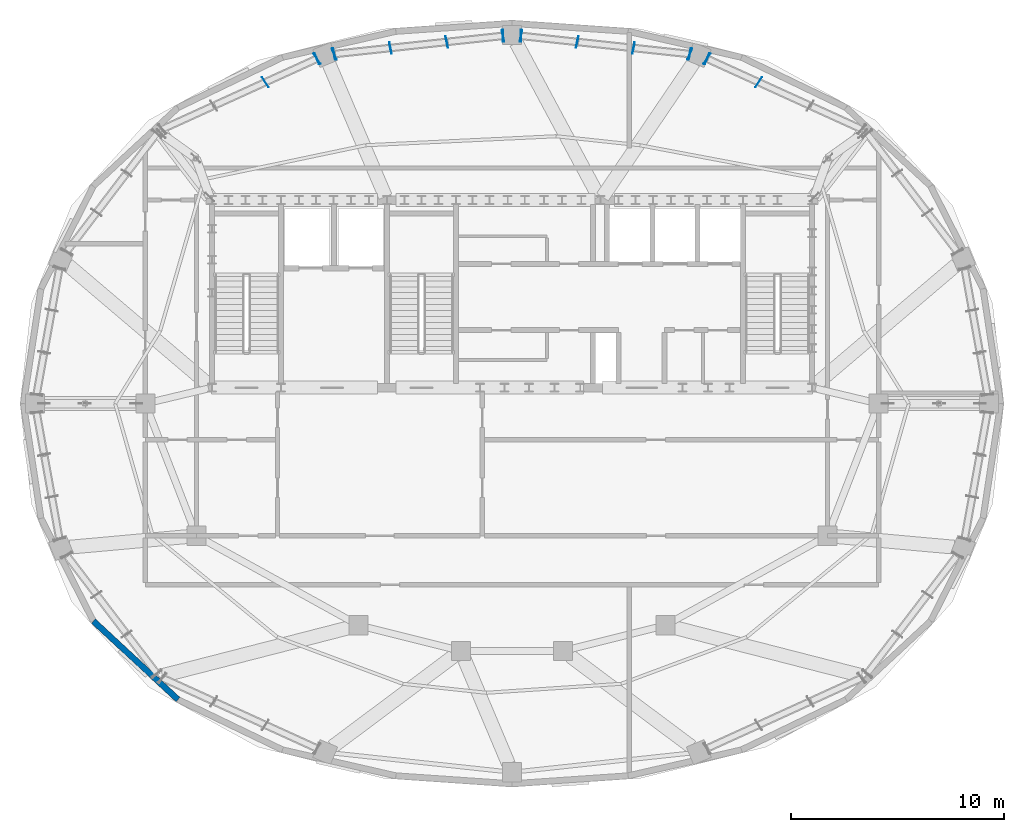
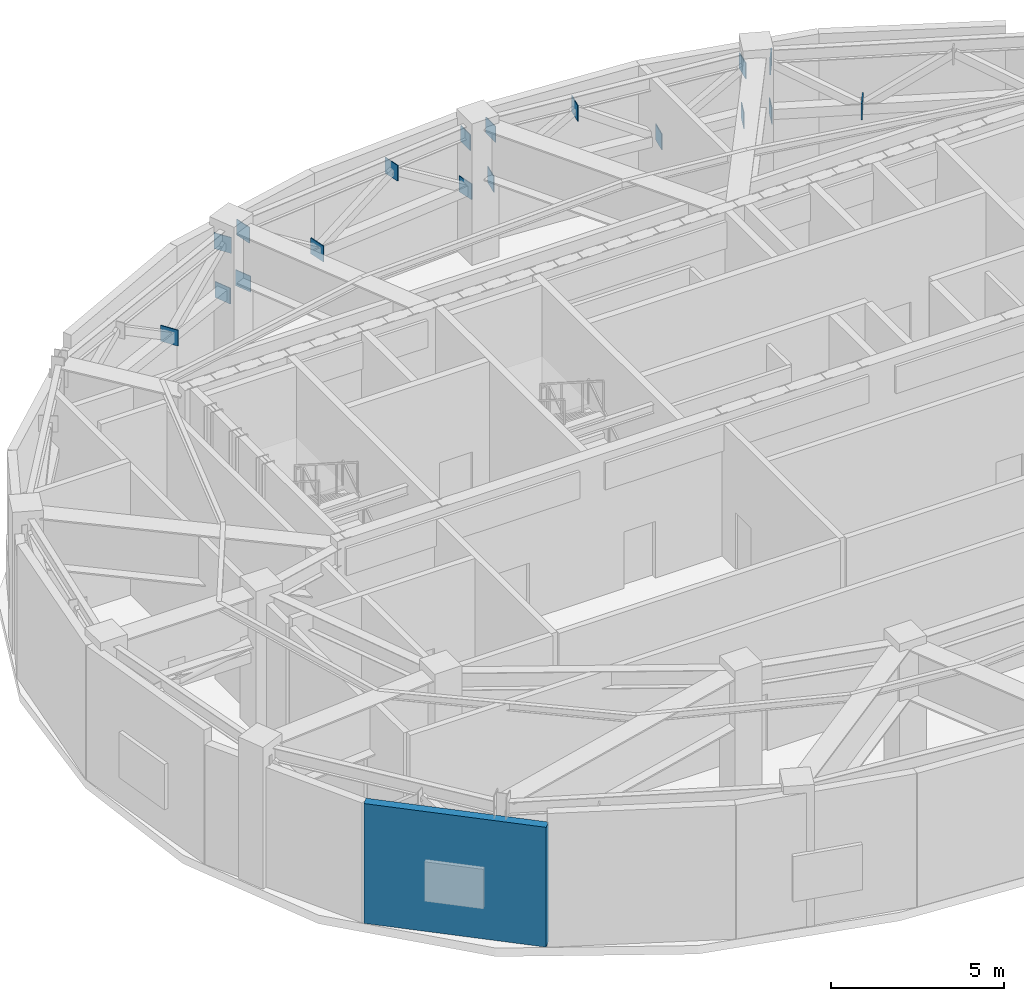
# One storey, part 9 of 15: 18 plates, 1 wall.
"""IFC4 building model written with IfcOpenShell, lengths in metres."""

from ifc_helpers import new_model, si_unit, direction, frame, frame_2d, origin, origin_2d, place, context, subcontext, project, spatial, rectangle, extrude, material, layer, layer_set, type_object, element, save


model = new_model("IFC4")

# Units and contexts
model_context = context("Model", 3, precision=1e-05, world=origin(), true_north=direction((0.0, 1.0)))
body_context = subcontext(model_context, "Body", "Model", "MODEL_VIEW")
ifc_project = project(units=[si_unit("LENGTHUNIT", "METRE"), si_unit("AREAUNIT", "SQUARE_METRE"), si_unit("VOLUMEUNIT", "CUBIC_METRE"), si_unit("PLANEANGLEUNIT", "RADIAN"), si_unit("MASSUNIT", "GRAM", prefix="KILO")], contexts=[model_context])

# Site, building, storey
site_placement = place(None, origin())
site = spatial("IfcSite", under=ifc_project, at=site_placement, CompositionType="ELEMENT")
building_placement = place(site_placement, origin())
building = spatial("IfcBuilding", under=site, at=building_placement, Name="Haldorwick Loom Tower", CompositionType="ELEMENT")
storey_placement = place(building_placement, frame((0.0, 0.0, 286.5)))
storey = spatial("IfcBuildingStorey", under=building, at=storey_placement, Name="L77", CompositionType="ELEMENT", Elevation=286.5)

# Plates
ifc_material_1 = material(Name="Steel CSA G40.21 350W", Category="steel")
ifc_layer_1 = layer(ifc_material_1, 0.028076171875, Name="Steel CSA G40.21 350W", Category="steel")
ifc_layer_set_1 = layer_set([ifc_layer_1], Name="Steel CSA G40.21 350W")
plate_type = type_object("IfcPlateType", Name="STR-PLT-GUS28", PredefinedType="SHEET", material=ifc_layer_set_1)
for number, where, z_axis, x_axis, name in (
    (1, (47.568115234375, 41.075439453125, 2.219970703125), (0.0, 0.0, 1.0), (0.55557023302, 0.831469612303, 0.0), "L77 Truss Node Gusset Plate PLT-L77-BGUS-02-1B"),
    (2, (45.150390625, 42.176513671875, 3.973876953125), (0.0, 0.0, 1.0), (0.55557023302, 0.831469612303, 0.0), "L77 Truss Node Gusset Plate PLT-L77-BGUS-02-2B"),
    (3, (45.150390625, 42.176513671875, 2.219970703125), (0.0, 0.0, 1.0), (0.382683432365, 0.923879532511, 0.0), "L77 Truss Node Gusset Plate PLT-L77-BGUS-02C"),
    (4, (44.3408203125, 42.398193359375, 3.973876953125), (0.0, 0.0, 1.0), (0.195090322016, 0.980785280403, 0.0), "L77 Truss Node Gusset Plate PLT-L77-BGUS-03-0A"),
    (5, (41.701416015625, 42.681884765625, 2.219970703125), (0.0, 0.0, 1.0), (0.195090322016, 0.980785280403, 0.0), "L77 Truss Node Gusset Plate PLT-L77-BGUS-03-0B"),
    (6, (39.06201171875, 42.9658203125, 3.973876953125), (0.0, 0.0, 1.0), (0.195090322016, 0.980785280403, 0.0), "L77 Truss Node Gusset Plate PLT-L77-BGUS-03-1B"),
    (7, (36.422607421875, 43.249755859375, 2.219970703125), (0.0, 0.0, 1.0), (0.195090322016, 0.980785280403, 0.0), "L77 Truss Node Gusset Plate PLT-L77-BGUS-03-2B"),
    (8, (44.3408203125, 42.398193359375, 2.219970703125), (0.0, 0.0, 1.0), (0.382683432365, 0.923879532511, 0.0), "L77 Truss Node Gusset Plate PLT-L77-BGUS-03A"),
    (9, (36.422607421875, 43.249755859375, 3.973876953125), (0.0, 0.0, 1.0), (0.0, 1.0, 0.0), "L77 Truss Node Gusset Plate PLT-L77-BGUS-03D"),
    (10, (35.577392578125, 43.249755859375, 2.219970703125), (0.0, 0.0, 1.0), (-0.195090322016, 0.980785280403, 0.0), "L77 Truss Node Gusset Plate PLT-L77-BGUS-04-0A"),
    (11, (32.93798828125, 42.9658203125, 3.973876953125), (0.0, 0.0, 1.0), (-0.195090322016, 0.980785280403, 0.0), "L77 Truss Node Gusset Plate PLT-L77-BGUS-04-0B"),
    (12, (30.298583984375, 42.681884765625, 2.219970703125), (0.0, 0.0, 1.0), (-0.195090322016, 0.980785280403, 0.0), "L77 Truss Node Gusset Plate PLT-L77-BGUS-04-1B"),
    (13, (27.6591796875, 42.398193359375, 3.973876953125), (0.0, 0.0, 1.0), (-0.195090322016, 0.980785280403, 0.0), "L77 Truss Node Gusset Plate PLT-L77-BGUS-04-2B"),
    (14, (35.577392578125, 43.249755859375, 3.973876953125), (0.0, 0.0, 1.0), (0.0, 1.0, 0.0), "L77 Truss Node Gusset Plate PLT-L77-BGUS-04B"),
    (15, (27.6591796875, 42.398193359375, 2.219970703125), (0.0, 0.0, 1.0), (-0.382683432365, 0.923879532511, 0.0), "L77 Truss Node Gusset Plate PLT-L77-BGUS-04C"),
    (16, (26.849609375, 42.176513671875, 3.973876953125), (0.0, 0.0, 1.0), (-0.55557023302, 0.831469612303, 0.0), "L77 Truss Node Gusset Plate PLT-L77-BGUS-05-0A"),
    (17, (24.431884765625, 41.075439453125, 2.219970703125), (0.0, 0.0, 1.0), (-0.55557023302, 0.831469612303, 0.0), "L77 Truss Node Gusset Plate PLT-L77-BGUS-05-0B"),
    (18, (26.849609375, 42.176513671875, 2.219970703125), (0.0, 0.0, 1.0), (-0.382683432365, 0.923879532511, 0.0), "L77 Truss Node Gusset Plate PLT-L77-BGUS-05A"),
):
    element("IfcPlate", number, at=place(storey_placement, frame(where, z_axis=z_axis, x_axis=x_axis)), inside=storey, type_object=plate_type, Name=name, PredefinedType="SHEET", context=body_context, shape_type="SweptSolid", body=[
        extrude(rectangle(XDim=0.56005859375, YDim=0.028076171875, at=origin_2d()), origin(), (0.0, 0.0, 1.0), 0.56005859375),
    ])

# Wall
ifc_material_2 = material(Name="Pressed Clay Face Brick and Insulated Masonry Backup Assembly", Category="masonry")
ifc_layer_2 = layer(ifc_material_2, 0.280029296875, Name="Pressed Clay Face Brick and Insulated Masonry Backup Assembly", Category="masonry")
ifc_layer_set_2 = layer_set([ifc_layer_2], Name="Pressed Clay Face Brick and Insulated Masonry Backup Assembly")
wall_type = type_object("IfcWallType", Name="ARC-WL-EXT280", PredefinedType="STANDARD", material=ifc_layer_set_2)
wall_placement = place(storey_placement, frame((16.361328125, 15.79541015625, 0.0), z_axis=(0.0, 0.0, 1.0), x_axis=(0.733156506145, -0.680059951399, 0.0)))
element("IfcWall", 19, at=wall_placement, inside=storey, type_object=wall_type, Name="L77 Brick Pier and Spandrel Wall 15", PredefinedType="STANDARD", context=body_context, shape_type="SweptSolid", body=[
    extrude(rectangle(XDim=5.411865234375, YDim=0.280029296875, at=frame_2d((2.7060546875, 0.0))), origin(), (0.0, 0.0, 1.0), 4.22900390625),
])

save(model, "model.ifc")
